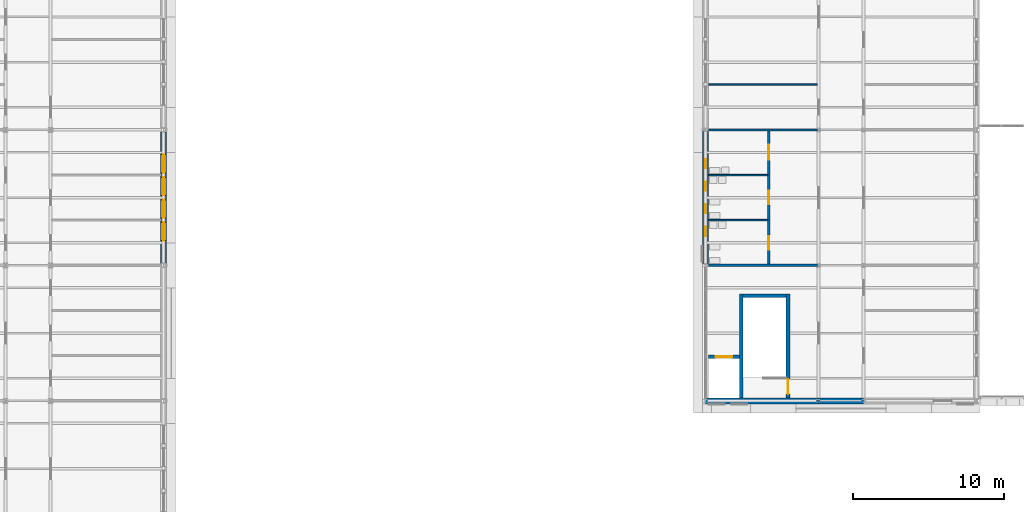
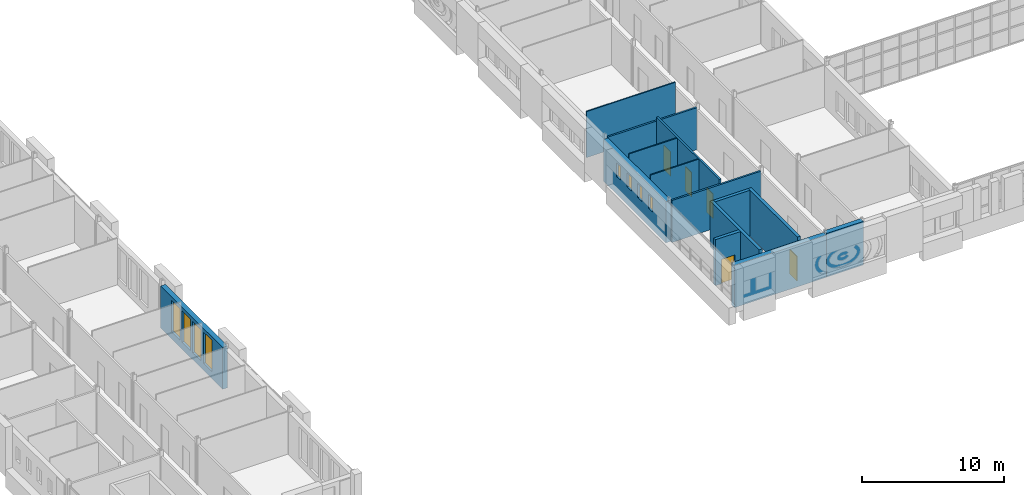
# One storey, part 100 of 154: 14 walls, 8 windows, 5 doors, 13 openings.
"""IFC4 building model written with IfcOpenShell, lengths in metres."""

from ifc_helpers import new_model, si_unit, direction, frame, frame_2d, origin, place, context, subcontext, project, spatial, rectangle, extrude, material, layer, layer_set, type_object, element, fill, save


model = new_model("IFC4")

# Units and contexts
model_context = context("Model", 3, precision=1e-05, world=origin(), true_north=direction((0.0, 1.0)))
body_context = subcontext(model_context, "Body", "Model", "MODEL_VIEW")
ifc_project = project(units=[si_unit("LENGTHUNIT", "METRE"), si_unit("AREAUNIT", "SQUARE_METRE"), si_unit("VOLUMEUNIT", "CUBIC_METRE"), si_unit("PLANEANGLEUNIT", "RADIAN"), si_unit("MASSUNIT", "GRAM", prefix="KILO")], contexts=[model_context])

# Site, building, storey
site_placement = place(None, origin())
site = spatial("IfcSite", under=ifc_project, at=site_placement, CompositionType="ELEMENT")
building_placement = place(site_placement, origin())
building = spatial("IfcBuilding", under=site, at=building_placement, Name="Golden Quay Civic Hall", CompositionType="ELEMENT")
storey_placement = place(building_placement, frame((0.0, 0.0, 14.39990234375)))
storey = spatial("IfcBuildingStorey", under=building, at=storey_placement, Name="L03", CompositionType="ELEMENT", Elevation=14.39990234375)

# Wall
ifc_material_1 = material(Name="Concrete C40/50", Category="concrete")
ifc_layer_1 = layer(ifc_material_1, 0.25)
ifc_layer_set_1 = layer_set([ifc_layer_1], Name="Concrete core wall 250, Concrete C40/50")
wall_type_1 = type_object("IfcWallType", Name="Concrete core wall 250", PredefinedType="SHEAR", material=ifc_layer_set_1)
wall_1_placement = place(storey_placement, frame((56.375, 0.199951171875, 0.0), z_axis=(0.0, 0.0, 1.0), x_axis=(0.0, 1.0, 0.0)))
element("IfcWall", 1, at=wall_1_placement, inside=storey, type_object=wall_type_1, Name="Core wall WM-S-W1", PredefinedType="SHEAR", context=body_context, shape_type="SweptSolid", body=[
    extrude(rectangle(XDim=6.900146484375, YDim=0.25, at=frame_2d((3.4501953125, 0.0))), origin(), (0.0, 0.0, 1.0), 3.9501953125),
])

# Wall, opening, door
wall_2_placement = place(storey_placement, frame((59.47509765625, 0.199951171875, 0.0), z_axis=(0.0, 0.0, 1.0), x_axis=(0.0, 1.0, 0.0)))
wall_2 = element("IfcWall", 2, at=wall_2_placement, inside=storey, type_object=wall_type_1, Name="Core wall WM-S-W2", PredefinedType="SHEAR", context=body_context, shape_type="SweptSolid", body=[
    extrude(rectangle(XDim=6.900146484375, YDim=0.25, at=frame_2d((3.4501953125, 0.0))), origin(), (0.0, 0.0, 1.0), 3.9501953125),
])
opening_1_placement = place(wall_2_placement, frame((0.25, 0.0, 0.0)))
opening_1 = element("IfcOpeningElement", 3, at=opening_1_placement, cuts=wall_2, Name="Opening L03-D097", PredefinedType="OPENING", context=body_context, shape_type="SweptSolid", body=[
    extrude(rectangle(XDim=1.0, YDim=2.10009765625, at=frame_2d((0.5, 1.050048828125))), frame((0.0, 0.135009765625, 0.0), z_axis=(0.0, -1.0, 0.0), x_axis=(1.0, 0.0, 0.0)), (0.0, 0.0, 1.0), 0.27001953125),
])
ifc_material_2 = material(Name="Steel", Category="steel")
door_type_1 = type_object("IfcDoorType", Name="Steel fire door FD60 1000 x 2100", OperationType="SINGLE_SWING_LEFT", PredefinedType="DOOR", material=ifc_material_2)
door_1_placement = place(opening_1_placement, origin())
door_1 = element("IfcDoor", 4, at=door_1_placement, inside=storey, type_object=door_type_1, Name="Door L03-D097", OperationType="SINGLE_SWING_LEFT", OverallHeight=2.10009765625, OverallWidth=1.0, PredefinedType="DOOR", context=body_context, shape_type="SweptSolid", body=[
    extrude(rectangle(XDim=1.0, YDim=2.10009765625, at=frame_2d((0.5, 1.050048828125))), frame((0.0, 0.02490234375, 0.0), z_axis=(0.0, -1.0, 0.0), x_axis=(1.0, 0.0, 0.0)), (0.0, 0.0, 1.0), 0.050048828125),
])
fill(opening_1, door_1)

# Wall
wall_3_placement = place(storey_placement, frame((56.5, 6.97509765625, 0.0), z_axis=(0.0, 0.0, 1.0), x_axis=(1.0, 0.0, 0.0)))
element("IfcWall", 5, at=wall_3_placement, inside=storey, type_object=wall_type_1, Name="Core wall WM-S-W3", PredefinedType="SHEAR", context=body_context, shape_type="SweptSolid", body=[
    extrude(rectangle(XDim=2.85009765625, YDim=0.25, at=frame_2d((1.425048828125, 0.0))), origin(), (0.0, 0.0, 1.0), 3.9501953125),
])

# Wall, opening, door
wall_4_placement = place(storey_placement, frame((54.199951171875, 2.925048828125, 0.0), z_axis=(0.0, 0.0, 1.0), x_axis=(1.0, 0.0, 0.0)))
wall_4 = element("IfcWall", 6, at=wall_4_placement, inside=storey, type_object=wall_type_1, Name="Core wall WM-S-W4", PredefinedType="SHEAR", context=body_context, shape_type="SweptSolid", body=[
    extrude(rectangle(XDim=2.050048828125, YDim=0.25, at=frame_2d((1.02490234375, 0.0))), origin(), (0.0, 0.0, 1.0), 3.9501953125),
])
opening_2_placement = place(wall_4_placement, frame((0.47509765625, 0.0, 0.0)))
opening_2 = element("IfcOpeningElement", 7, at=opening_2_placement, cuts=wall_4, Name="Opening L03-D101", PredefinedType="OPENING", context=body_context, shape_type="SweptSolid", body=[
    extrude(rectangle(XDim=1.10009765625, YDim=2.10009765625, at=frame_2d((0.550048828125, 1.050048828125))), frame((0.0, 0.135009765625, 0.0), z_axis=(0.0, -1.0, 0.0), x_axis=(1.0, 0.0, 0.0)), (0.0, 0.0, 1.0), 0.27001953125),
])
ifc_material_3 = material(Name="Steel", Category="steel")
door_type_2 = type_object("IfcDoorType", Name="Lift landing door 1100 x 2100", OperationType="SLIDING_TO_LEFT", PredefinedType="DOOR", material=ifc_material_3)
door_2_placement = place(opening_2_placement, origin())
door_2 = element("IfcDoor", 8, at=door_2_placement, inside=storey, type_object=door_type_2, Name="Lift landing door L03-D101 WM-S", OperationType="SLIDING_TO_LEFT", OverallHeight=2.10009765625, OverallWidth=1.10009765625, PredefinedType="DOOR", context=body_context, shape_type="SweptSolid", body=[
    extrude(rectangle(XDim=1.10009765625, YDim=2.10009765625, at=frame_2d((0.550048828125, 1.050048828125))), frame((0.0, 0.02490234375, 0.0), z_axis=(0.0, -1.0, 0.0), x_axis=(1.0, 0.0, 0.0)), (0.0, 0.0, 1.0), 0.050048828125),
])
fill(opening_2, door_2)

# Walls
ifc_material_4 = material(Name="Plasterboard on steel studs", Category="steel")
ifc_layer_2 = layer(ifc_material_4, 0.10009765625)
ifc_layer_set_2 = layer_set([ifc_layer_2], Name="Partition 100 stud")
wall_type_2 = type_object("IfcWallType", Name="Partition 100 stud", PredefinedType="PARTITIONING", material=ifc_layer_set_2)
wall_5_placement = place(storey_placement, frame((54.199951171875, 21.0, 0.0), z_axis=(0.0, 0.0, 1.0), x_axis=(1.0, 0.0, 0.0)))
element("IfcWall", 9, at=wall_5_placement, inside=storey, type_object=wall_type_2, Name="Partition L03-001", PredefinedType="PARTITIONING", context=body_context, shape_type="SweptSolid", body=[
    extrude(rectangle(XDim=7.22509765625, YDim=0.10009765625, at=frame_2d((3.612548828125, 0.0))), origin(), (0.0, 0.0, 1.0), 3.9501953125),
])
for number, where, z_axis, x_axis, name in (
    (10, (54.199951171875, 12.0, 0.0), (0.0, 0.0, 1.0), (1.0, 0.0, 0.0), "Partition L03-022"),
    (11, (54.199951171875, 15.0, 0.0), (0.0, 0.0, 1.0), (1.0, 0.0, 0.0), "Partition L03-023"),
):
    element("IfcWall", number, at=place(storey_placement, frame(where, z_axis=z_axis, x_axis=x_axis)), inside=storey, type_object=wall_type_2, Name=name, PredefinedType="PARTITIONING", context=body_context, shape_type="SweptSolid", body=[
        extrude(rectangle(XDim=3.925048828125, YDim=0.10009765625, at=frame_2d((1.96240234375, 0.0))), origin(), (0.0, 0.0, 1.0), 3.9501953125),
    ])
ifc_material_5 = material(Name="Plasterboard on steel studs", Category="steel")
ifc_layer_3 = layer(ifc_material_5, 0.14990234375)
ifc_layer_set_3 = layer_set([ifc_layer_3], Name="Partition 150 stud fire EI 60")
wall_type_3 = type_object("IfcWallType", Name="Partition 150 stud fire EI 60", PredefinedType="PARTITIONING", material=ifc_layer_set_3)
for number, where, z_axis, x_axis, name in (
    (12, (54.199951171875, 18.0, 0.0), (0.0, 0.0, 1.0), (1.0, 0.0, 0.0), "Partition L03-000"),
    (13, (54.199951171875, 9.0, 0.0), (0.0, 0.0, 1.0), (1.0, 0.0, 0.0), "Partition L03-018"),
):
    element("IfcWall", number, at=place(storey_placement, frame(where, z_axis=z_axis, x_axis=x_axis)), inside=storey, type_object=wall_type_3, Name=name, PredefinedType="PARTITIONING", context=body_context, shape_type="SweptSolid", body=[
        extrude(rectangle(XDim=7.22509765625, YDim=0.14990234375, at=frame_2d((3.612548828125, 0.0))), origin(), (0.0, 0.0, 1.0), 3.60009765625),
    ])

# Wall, openings, doors
wall_6_placement = place(storey_placement, frame((58.199951171875, 9.074951171875, 0.0), z_axis=(0.0, 0.0, 1.0), x_axis=(0.0, 1.0, 0.0)))
wall_6 = element("IfcWall", 14, at=wall_6_placement, inside=storey, type_object=wall_type_3, Name="Partition L03-021", PredefinedType="PARTITIONING", context=body_context, shape_type="SweptSolid", body=[
    extrude(rectangle(XDim=8.85009765625, YDim=0.14990234375, at=frame_2d((4.425048828125, 0.0))), origin(), (0.0, 0.0, 1.0), 3.9501953125),
])
opening_3_placement = place(wall_6_placement, frame((0.97509765625, 0.0, 0.0)))
opening_3 = element("IfcOpeningElement", 15, at=opening_3_placement, cuts=wall_6, Name="Opening L03-D094", PredefinedType="OPENING", context=body_context, shape_type="SweptSolid", body=[
    extrude(rectangle(XDim=0.89990234375, YDim=2.10009765625, at=frame_2d((0.449951171875, 1.050048828125))), frame((0.0, 0.0849609375, 0.0), z_axis=(0.0, -1.0, 0.0), x_axis=(1.0, 0.0, 0.0)), (0.0, 0.0, 1.0), 0.169921875),
])
opening_4_placement = place(wall_6_placement, frame((3.97509765625, 0.0, 0.0)))
opening_4 = element("IfcOpeningElement", 16, at=opening_4_placement, cuts=wall_6, Name="Opening L03-D095", PredefinedType="OPENING", context=body_context, shape_type="SweptSolid", body=[
    extrude(rectangle(XDim=0.89990234375, YDim=2.10009765625, at=frame_2d((0.449951171875, 1.050048828125))), frame((0.0, 0.0849609375, 0.0), z_axis=(0.0, -1.0, 0.0), x_axis=(1.0, 0.0, 0.0)), (0.0, 0.0, 1.0), 0.169921875),
])
opening_5_placement = place(wall_6_placement, frame((6.925048828125, 0.0, 0.0)))
opening_5 = element("IfcOpeningElement", 17, at=opening_5_placement, cuts=wall_6, Name="Opening L03-D096", PredefinedType="OPENING", context=body_context, shape_type="SweptSolid", body=[
    extrude(rectangle(XDim=1.0, YDim=2.10009765625, at=frame_2d((0.5, 1.050048828125))), frame((0.0, 0.0849609375, 0.0), z_axis=(0.0, -1.0, 0.0), x_axis=(1.0, 0.0, 0.0)), (0.0, 0.0, 1.0), 0.169921875),
])
ifc_material_6 = material(Name="Timber", Category="wood")
door_type_3 = type_object("IfcDoorType", Name="Timber door 1000 x 2100", OperationType="SINGLE_SWING_LEFT", PredefinedType="DOOR", material=ifc_material_6)
door_3_placement = place(opening_5_placement, origin())
door_3 = element("IfcDoor", 18, at=door_3_placement, inside=storey, type_object=door_type_3, Name="Door L03-D096", OperationType="SINGLE_SWING_LEFT", OverallHeight=2.10009765625, OverallWidth=1.0, PredefinedType="DOOR", context=body_context, shape_type="SweptSolid", body=[
    extrude(rectangle(XDim=1.0, YDim=2.10009765625, at=frame_2d((0.5, 1.050048828125))), frame((0.0, 0.02490234375, 0.0), z_axis=(0.0, -1.0, 0.0), x_axis=(1.0, 0.0, 0.0)), (0.0, 0.0, 1.0), 0.050048828125),
])
fill(opening_5, door_3)
ifc_material_7 = material(Name="Timber", Category="wood")
door_type_4 = type_object("IfcDoorType", Name="Timber door 900 x 2100", OperationType="SINGLE_SWING_LEFT", PredefinedType="DOOR", material=ifc_material_7)
door_4_placement = place(opening_3_placement, origin())
door_4 = element("IfcDoor", 19, at=door_4_placement, inside=storey, type_object=door_type_4, Name="Door L03-D094", OperationType="SINGLE_SWING_LEFT", OverallHeight=2.10009765625, OverallWidth=0.89990234375, PredefinedType="DOOR", context=body_context, shape_type="SweptSolid", body=[
    extrude(rectangle(XDim=0.89990234375, YDim=2.10009765625, at=frame_2d((0.449951171875, 1.050048828125))), frame((0.0, 0.02490234375, 0.0), z_axis=(0.0, -1.0, 0.0), x_axis=(1.0, 0.0, 0.0)), (0.0, 0.0, 1.0), 0.050048828125),
])
fill(opening_3, door_4)
door_5_placement = place(opening_4_placement, origin())
door_5 = element("IfcDoor", 20, at=door_5_placement, inside=storey, type_object=door_type_4, Name="Door L03-D095", OperationType="SINGLE_SWING_LEFT", OverallHeight=2.10009765625, OverallWidth=0.89990234375, PredefinedType="DOOR", context=body_context, shape_type="SweptSolid", body=[
    extrude(rectangle(XDim=0.89990234375, YDim=2.10009765625, at=frame_2d((0.449951171875, 1.050048828125))), frame((0.0, 0.02490234375, 0.0), z_axis=(0.0, -1.0, 0.0), x_axis=(1.0, 0.0, 0.0)), (0.0, 0.0, 1.0), 0.050048828125),
])
fill(opening_4, door_5)

# Wall, openings, windows
ifc_material_8 = material(Name="Clay block, rendered, cream")
ifc_layer_4 = layer(ifc_material_8, 0.39990234375)
ifc_layer_set_4 = layer_set([ifc_layer_4], Name="Rendered block external wall 400")
wall_type_4 = type_object("IfcWallType", Name="Rendered block external wall 400", PredefinedType="STANDARD", material=ifc_layer_set_4)
wall_7_placement = place(storey_placement, frame((18.0, 17.864990234375, 0.0), z_axis=(0.0, 0.0, 1.0), x_axis=(0.0, -1.0, 0.0)))
wall_7 = element("IfcWall", 21, at=wall_7_placement, inside=storey, type_object=wall_type_4, Name="Rendered block external wall 400 L03 14", PredefinedType="STANDARD", context=body_context, shape_type="SweptSolid", body=[
    extrude(rectangle(XDim=8.72998046875, YDim=0.39990234375, at=frame_2d((4.364990234375, 0.0))), origin(), (0.0, 0.0, 1.0), 3.60009765625),
])
opening_6_placement = place(wall_7_placement, frame((6.014892578125, 0.0, 0.60009765625)))
opening_6 = element("IfcOpeningElement", 22, at=opening_6_placement, cuts=wall_7, Name="Opening WN8", PredefinedType="OPENING", context=body_context, shape_type="SweptSolid", body=[
    extrude(rectangle(XDim=1.199951171875, YDim=2.699951171875, at=frame_2d((0.60009765625, 1.35009765625))), frame((0.0, 0.2099609375, 0.0), z_axis=(0.0, -1.0, 0.0), x_axis=(1.0, 0.0, 0.0)), (0.0, 0.0, 1.0), 0.419921875),
])
opening_7_placement = place(wall_7_placement, frame((4.514892578125, 0.0, 0.60009765625)))
opening_7 = element("IfcOpeningElement", 23, at=opening_7_placement, cuts=wall_7, Name="Opening WN8", PredefinedType="OPENING", context=body_context, shape_type="SweptSolid", body=[
    extrude(rectangle(XDim=1.199951171875, YDim=2.699951171875, at=frame_2d((0.60009765625, 1.35009765625))), frame((0.0, 0.2099609375, 0.0), z_axis=(0.0, -1.0, 0.0), x_axis=(1.0, 0.0, 0.0)), (0.0, 0.0, 1.0), 0.419921875),
])
opening_8_placement = place(wall_7_placement, frame((3.014892578125, 0.0, 0.60009765625)))
opening_8 = element("IfcOpeningElement", 24, at=opening_8_placement, cuts=wall_7, Name="Opening WN8", PredefinedType="OPENING", context=body_context, shape_type="SweptSolid", body=[
    extrude(rectangle(XDim=1.199951171875, YDim=2.699951171875, at=frame_2d((0.60009765625, 1.35009765625))), frame((0.0, 0.2099609375, 0.0), z_axis=(0.0, -1.0, 0.0), x_axis=(1.0, 0.0, 0.0)), (0.0, 0.0, 1.0), 0.419921875),
])
opening_9_placement = place(wall_7_placement, frame((1.514892578125, 0.0, 0.60009765625)))
opening_9 = element("IfcOpeningElement", 25, at=opening_9_placement, cuts=wall_7, Name="Opening WN8", PredefinedType="OPENING", context=body_context, shape_type="SweptSolid", body=[
    extrude(rectangle(XDim=1.199951171875, YDim=2.699951171875, at=frame_2d((0.60009765625, 1.35009765625))), frame((0.0, 0.2099609375, 0.0), z_axis=(0.0, -1.0, 0.0), x_axis=(1.0, 0.0, 0.0)), (0.0, 0.0, 1.0), 0.419921875),
])
ifc_material_9 = material(Name="Aluminium frame, double glazed", Category="aluminium")
window_type_1 = type_object("IfcWindowType", Name="Golden grid window 1200 x 2700", PartitioningType="SINGLE_PANEL", PredefinedType="WINDOW", material=ifc_material_9)
window_1_placement = place(opening_6_placement, origin())
window_1 = element("IfcWindow", 26, at=window_1_placement, inside=storey, type_object=window_type_1, Name="Golden grid window 1200 x 2700 L03 29", OverallHeight=2.699951171875, OverallWidth=1.199951171875, PartitioningType="SINGLE_PANEL", PredefinedType="WINDOW", context=body_context, shape_type="SweptSolid", body=[
    extrude(rectangle(XDim=1.199951171875, YDim=2.699951171875, at=frame_2d((0.60009765625, 1.35009765625))), frame((0.0, 0.030029296875, 0.0), z_axis=(0.0, -1.0, 0.0), x_axis=(1.0, 0.0, 0.0)), (0.0, 0.0, 1.0), 0.06005859375),
])
fill(opening_6, window_1)
window_2_placement = place(opening_7_placement, origin())
window_2 = element("IfcWindow", 27, at=window_2_placement, inside=storey, type_object=window_type_1, Name="Golden grid window 1200 x 2700 L03 30", OverallHeight=2.699951171875, OverallWidth=1.199951171875, PartitioningType="SINGLE_PANEL", PredefinedType="WINDOW", context=body_context, shape_type="SweptSolid", body=[
    extrude(rectangle(XDim=1.199951171875, YDim=2.699951171875, at=frame_2d((0.60009765625, 1.35009765625))), frame((0.0, 0.030029296875, 0.0), z_axis=(0.0, -1.0, 0.0), x_axis=(1.0, 0.0, 0.0)), (0.0, 0.0, 1.0), 0.06005859375),
])
fill(opening_7, window_2)
window_3_placement = place(opening_8_placement, origin())
window_3 = element("IfcWindow", 28, at=window_3_placement, inside=storey, type_object=window_type_1, Name="Golden grid window 1200 x 2700 L03 31", OverallHeight=2.699951171875, OverallWidth=1.199951171875, PartitioningType="SINGLE_PANEL", PredefinedType="WINDOW", context=body_context, shape_type="SweptSolid", body=[
    extrude(rectangle(XDim=1.199951171875, YDim=2.699951171875, at=frame_2d((0.60009765625, 1.35009765625))), frame((0.0, 0.030029296875, 0.0), z_axis=(0.0, -1.0, 0.0), x_axis=(1.0, 0.0, 0.0)), (0.0, 0.0, 1.0), 0.06005859375),
])
fill(opening_8, window_3)
window_4_placement = place(opening_9_placement, origin())
window_4 = element("IfcWindow", 29, at=window_4_placement, inside=storey, type_object=window_type_1, Name="Golden grid window 1200 x 2700 L03 32", OverallHeight=2.699951171875, OverallWidth=1.199951171875, PartitioningType="SINGLE_PANEL", PredefinedType="WINDOW", context=body_context, shape_type="SweptSolid", body=[
    extrude(rectangle(XDim=1.199951171875, YDim=2.699951171875, at=frame_2d((0.60009765625, 1.35009765625))), frame((0.0, 0.030029296875, 0.0), z_axis=(0.0, -1.0, 0.0), x_axis=(1.0, 0.0, 0.0)), (0.0, 0.0, 1.0), 0.06005859375),
])
fill(opening_9, window_4)

wall_8_placement = place(storey_placement, frame((54.0, 9.094970703125, 0.0), z_axis=(0.0, 0.0, 1.0), x_axis=(0.0, 1.0, 0.0)))
wall_8 = element("IfcWall", 30, at=wall_8_placement, inside=storey, type_object=wall_type_4, Name="Rendered block external wall 400 L03 21", PredefinedType="STANDARD", context=body_context, shape_type="SweptSolid", body=[
    extrude(rectangle(XDim=8.81005859375, YDim=0.39990234375, at=frame_2d((4.405029296875, 0.0))), origin(), (0.0, 0.0, 1.0), 3.550048828125),
])
opening_10_placement = place(wall_8_placement, frame((1.85498046875, 0.0, 1.5)))
opening_10 = element("IfcOpeningElement", 31, at=opening_10_placement, cuts=wall_8, Name="Opening WN1", PredefinedType="OPENING", context=body_context, shape_type="SweptSolid", body=[
    extrude(rectangle(XDim=0.60009765625, YDim=1.199951171875, at=frame_2d((0.300048828125, 0.60009765625))), frame((0.0, 0.2099609375, 0.0), z_axis=(0.0, -1.0, 0.0), x_axis=(1.0, 0.0, 0.0)), (0.0, 0.0, 1.0), 0.419921875),
])
opening_11_placement = place(wall_8_placement, frame((3.35498046875, 0.0, 1.5)))
opening_11 = element("IfcOpeningElement", 32, at=opening_11_placement, cuts=wall_8, Name="Opening WN1", PredefinedType="OPENING", context=body_context, shape_type="SweptSolid", body=[
    extrude(rectangle(XDim=0.60009765625, YDim=1.199951171875, at=frame_2d((0.300048828125, 0.60009765625))), frame((0.0, 0.2099609375, 0.0), z_axis=(0.0, -1.0, 0.0), x_axis=(1.0, 0.0, 0.0)), (0.0, 0.0, 1.0), 0.419921875),
])
opening_12_placement = place(wall_8_placement, frame((4.85498046875, 0.0, 1.5)))
opening_12 = element("IfcOpeningElement", 33, at=opening_12_placement, cuts=wall_8, Name="Opening WN1", PredefinedType="OPENING", context=body_context, shape_type="SweptSolid", body=[
    extrude(rectangle(XDim=0.60009765625, YDim=1.199951171875, at=frame_2d((0.300048828125, 0.60009765625))), frame((0.0, 0.2099609375, 0.0), z_axis=(0.0, -1.0, 0.0), x_axis=(1.0, 0.0, 0.0)), (0.0, 0.0, 1.0), 0.419921875),
])
opening_13_placement = place(wall_8_placement, frame((6.35498046875, 0.0, 1.5)))
opening_13 = element("IfcOpeningElement", 34, at=opening_13_placement, cuts=wall_8, Name="Opening WN1", PredefinedType="OPENING", context=body_context, shape_type="SweptSolid", body=[
    extrude(rectangle(XDim=0.60009765625, YDim=1.199951171875, at=frame_2d((0.300048828125, 0.60009765625))), frame((0.0, 0.2099609375, 0.0), z_axis=(0.0, -1.0, 0.0), x_axis=(1.0, 0.0, 0.0)), (0.0, 0.0, 1.0), 0.419921875),
])
ifc_material_10 = material(Name="Aluminium frame, double glazed", Category="aluminium")
window_type_2 = type_object("IfcWindowType", Name="WC window 600 x 1200", PartitioningType="SINGLE_PANEL", PredefinedType="WINDOW", material=ifc_material_10)
window_5_placement = place(opening_10_placement, origin())
window_5 = element("IfcWindow", 35, at=window_5_placement, inside=storey, type_object=window_type_2, Name="WC window 600 x 1200 L03 8", OverallHeight=1.199951171875, OverallWidth=0.60009765625, PartitioningType="SINGLE_PANEL", PredefinedType="WINDOW", context=body_context, shape_type="SweptSolid", body=[
    extrude(rectangle(XDim=0.60009765625, YDim=1.199951171875, at=frame_2d((0.300048828125, 0.60009765625))), frame((0.0, 0.030029296875, 0.0), z_axis=(0.0, -1.0, 0.0), x_axis=(1.0, 0.0, 0.0)), (0.0, 0.0, 1.0), 0.06005859375),
])
fill(opening_10, window_5)
window_6_placement = place(opening_11_placement, origin())
window_6 = element("IfcWindow", 36, at=window_6_placement, inside=storey, type_object=window_type_2, Name="WC window 600 x 1200 L03 9", OverallHeight=1.199951171875, OverallWidth=0.60009765625, PartitioningType="SINGLE_PANEL", PredefinedType="WINDOW", context=body_context, shape_type="SweptSolid", body=[
    extrude(rectangle(XDim=0.60009765625, YDim=1.199951171875, at=frame_2d((0.300048828125, 0.60009765625))), frame((0.0, 0.030029296875, 0.0), z_axis=(0.0, -1.0, 0.0), x_axis=(1.0, 0.0, 0.0)), (0.0, 0.0, 1.0), 0.06005859375),
])
fill(opening_11, window_6)
window_7_placement = place(opening_12_placement, origin())
window_7 = element("IfcWindow", 37, at=window_7_placement, inside=storey, type_object=window_type_2, Name="WC window 600 x 1200 L03 10", OverallHeight=1.199951171875, OverallWidth=0.60009765625, PartitioningType="SINGLE_PANEL", PredefinedType="WINDOW", context=body_context, shape_type="SweptSolid", body=[
    extrude(rectangle(XDim=0.60009765625, YDim=1.199951171875, at=frame_2d((0.300048828125, 0.60009765625))), frame((0.0, 0.030029296875, 0.0), z_axis=(0.0, -1.0, 0.0), x_axis=(1.0, 0.0, 0.0)), (0.0, 0.0, 1.0), 0.06005859375),
])
fill(opening_12, window_7)
window_8_placement = place(opening_13_placement, origin())
window_8 = element("IfcWindow", 38, at=window_8_placement, inside=storey, type_object=window_type_2, Name="WC window 600 x 1200 L03 11", OverallHeight=1.199951171875, OverallWidth=0.60009765625, PartitioningType="SINGLE_PANEL", PredefinedType="WINDOW", context=body_context, shape_type="SweptSolid", body=[
    extrude(rectangle(XDim=0.60009765625, YDim=1.199951171875, at=frame_2d((0.300048828125, 0.60009765625))), frame((0.0, 0.030029296875, 0.0), z_axis=(0.0, -1.0, 0.0), x_axis=(1.0, 0.0, 0.0)), (0.0, 0.0, 1.0), 0.06005859375),
])
fill(opening_13, window_8)

# Walls
wall_9_placement = place(storey_placement, frame((64.49169921875, 0.0, 0.0), z_axis=(0.0, 0.0, 1.0), x_axis=(-1.0, 0.0, 0.0)))
element("IfcWall", 39, at=wall_9_placement, inside=storey, type_object=wall_type_4, Name="Rendered block external wall 400 L03 33", PredefinedType="STANDARD", context=body_context, shape_type="SweptSolid", body=[
    extrude(rectangle(XDim=2.9833984375, YDim=0.39990234375, at=frame_2d((1.49169921875, 0.0))), origin(), (0.0, 0.0, 1.0), 3.75),
])
ifc_material_11 = material(Name="Clay block, rendered, cream")
ifc_layer_5 = layer(ifc_material_11, 0.39990234375)
ifc_layer_set_5 = layer_set([ifc_layer_5], Name="Rendered block external wall 400 fire EI 60")
wall_type_5 = type_object("IfcWallType", Name="Rendered block external wall 400 fire EI 60", PredefinedType="STANDARD", material=ifc_layer_set_5)
wall_10_placement = place(storey_placement, frame((61.49169921875, 0.0, 0.0), z_axis=(0.0, 0.0, 1.0), x_axis=(-1.0, 0.0, 0.0)))
element("IfcWall", 40, at=wall_10_placement, inside=storey, type_object=wall_type_5, Name="Rendered block external wall 400 fire EI 60 L03 6", PredefinedType="STANDARD", context=body_context, shape_type="SweptSolid", body=[
    extrude(rectangle(XDim=7.4833984375, YDim=0.39990234375, at=frame_2d((3.74169921875, 0.0))), origin(), (0.0, 0.0, 1.0), 3.6201171875),
])

save(model, "model.ifc")
